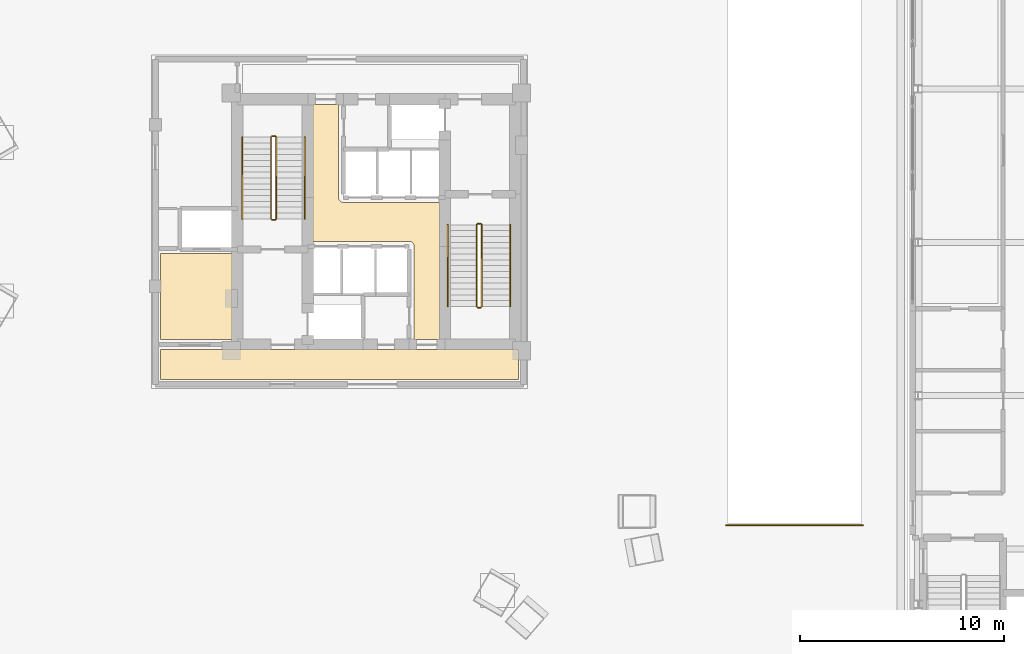
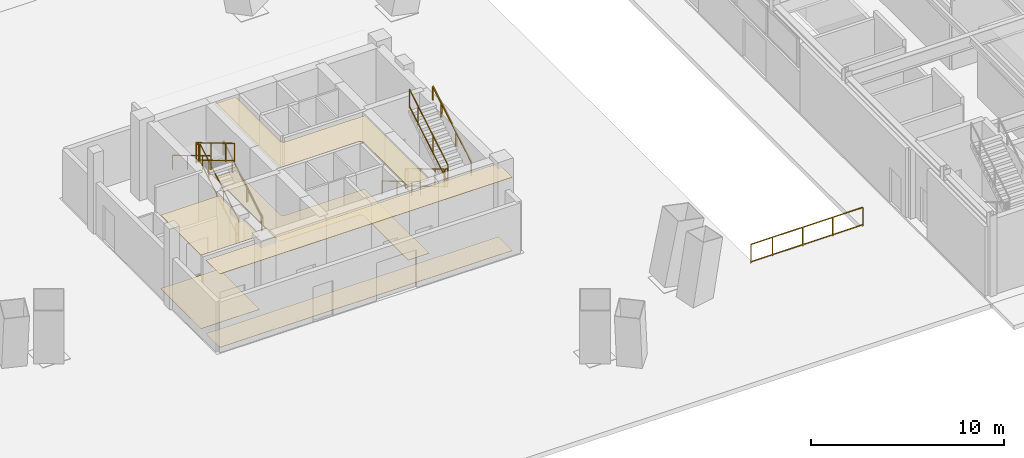
# One storey, part 18 of 21: 13 railings, 6 coverings.
"""IFC4 building model written with IfcOpenShell, lengths in metres."""

from ifc_helpers import new_model, si_unit, direction, frame, origin, origin_2d, place, context, subcontext, project, spatial, polyline, rectangle, outline, extrude, material, layer, layer_set, type_object, element, save


model = new_model("IFC4")

# Units and contexts
model_context = context("Model", 3, precision=1e-05, world=origin(), true_north=direction((0.0, 1.0)))
body_context = subcontext(model_context, "Body", "Model", "MODEL_VIEW")
ifc_project = project(units=[si_unit("LENGTHUNIT", "METRE"), si_unit("AREAUNIT", "SQUARE_METRE"), si_unit("VOLUMEUNIT", "CUBIC_METRE"), si_unit("PLANEANGLEUNIT", "RADIAN"), si_unit("MASSUNIT", "GRAM", prefix="KILO")], contexts=[model_context])

# Site, building, storey
site_placement = place(None, origin())
site = spatial("IfcSite", under=ifc_project, at=site_placement, CompositionType="ELEMENT")
building_placement = place(site_placement, origin())
building = spatial("IfcBuilding", under=site, at=building_placement, Name="Mersakhor Tower and Convention Hall", CompositionType="ELEMENT")
storey_placement = place(building_placement, origin())
storey = spatial("IfcBuildingStorey", under=building, at=storey_placement, Name="L00", CompositionType="ELEMENT", Elevation=0.0)

# Coverings
ifc_material_1 = material(Name="Acoustic mineral-fibre suspended ceiling", Category="other")
ifc_layer_1 = layer(ifc_material_1, 0.02490234375)
ifc_layer_set_1 = layer_set([ifc_layer_1], Name="Acoustic mineral-fibre suspended ceiling")
covering_type_1 = type_object("IfcCoveringType", Name="COV-CLG-25", PredefinedType="CEILING", material=ifc_layer_set_1)
covering_1_placement = place(storey_placement, frame((0.0, 0.0, 4.639892578125)))
element("IfcCovering", 1, at=covering_1_placement, inside=storey, type_object=covering_type_1, Name="L00 Central Passenger Lift Lobby Acoustic Suspended Ceiling", PredefinedType="CEILING", context=body_context, shape_type="SweptSolid", body=[
    extrude(outline(polyline([(30.85009765625, 21.0), (30.85009765625, 25.550048828125), (30.848876953125, 25.574462890625), (30.84521484375, 25.598876953125), (30.839111328125, 25.62255859375), (30.8310546875, 25.645751953125), (30.820556640625, 25.667724609375), (30.807861328125, 25.68896484375), (30.793212890625, 25.70849609375), (30.77685546875, 25.726806640625), (30.758544921875, 25.743408203125), (30.739013671875, 25.7578125), (30.7177734375, 25.7705078125), (30.69580078125, 25.781005859375), (30.672607421875, 25.789306640625), (30.648681640625, 25.795166015625), (30.62451171875, 25.798828125), (30.60009765625, 25.800048828125), (25.89990234375, 25.800048828125), (25.89990234375, 32.5), (27.14990234375, 32.5), (27.14990234375, 27.949951171875), (27.151123046875, 27.925537109375), (27.15478515625, 27.901123046875), (27.160888671875, 27.87744140625), (27.1689453125, 27.854248046875), (27.179443359375, 27.832275390625), (27.192138671875, 27.81103515625), (27.206787109375, 27.79150390625), (27.22314453125, 27.773193359375), (27.241455078125, 27.756591796875), (27.260986328125, 27.7421875), (27.2822265625, 27.7294921875), (27.30419921875, 27.718994140625), (27.327392578125, 27.710693359375), (27.351318359375, 27.704833984375), (27.37548828125, 27.701171875), (27.39990234375, 27.699951171875), (32.10009765625, 27.699951171875), (32.10009765625, 21.0), (30.85009765625, 21.0)])), origin(), (0.0, 0.0, 1.0), 0.025146484375),
])
covering_2_placement = place(storey_placement, frame((0.0, 0.0, 4.639892578125)))
element("IfcCovering", 2, at=covering_2_placement, inside=storey, type_object=covering_type_1, Name="L00 Clinic Lift Lobby and Resident Concierge Acoustic Suspended Ceiling", PredefinedType="CEILING", context=body_context, shape_type="SweptSolid", body=[
    extrude(outline(polyline([(18.449951171875, 25.199951171875), (21.949951171875, 25.199951171875), (21.949951171875, 21.0), (18.449951171875, 21.0), (18.449951171875, 25.199951171875)])), origin(), (0.0, 0.0, 1.0), 0.025146484375),
])
covering_3_placement = place(storey_placement, frame((0.0, 0.0, 4.639892578125)))
element("IfcCovering", 3, at=covering_3_placement, inside=storey, type_object=covering_type_1, Name="L00 Tower Ground Entrance Lobby Acoustic Suspended Ceiling", PredefinedType="CEILING", context=body_context, shape_type="SweptSolid", body=[
    extrude(outline(polyline([(18.449951171875, 20.5), (35.949951171875, 20.5), (35.949951171875, 19.050048828125), (18.449951171875, 19.050048828125), (18.449951171875, 20.5)])), origin(), (0.0, 0.0, 1.0), 0.025146484375),
])
ifc_material_2 = material(Name="Polished porcelain tile flooring", Category="other")
ifc_layer_2 = layer(ifc_material_2, 0.02001953125)
ifc_layer_set_2 = layer_set([ifc_layer_2], Name="Polished porcelain tile flooring")
covering_type_2 = type_object("IfcCoveringType", Name="COV-FLR-20", PredefinedType="FLOORING", material=ifc_layer_set_2)
covering_4_placement = place(storey_placement, origin())
element("IfcCovering", 4, at=covering_4_placement, inside=storey, type_object=covering_type_2, Name="L00 Central Passenger Lift Lobby Porcelain Floor Finish", PredefinedType="FLOORING", context=body_context, shape_type="SweptSolid", body=[
    extrude(outline(polyline([(30.85009765625, 21.0), (30.85009765625, 25.550048828125), (30.848876953125, 25.574462890625), (30.84521484375, 25.598876953125), (30.839111328125, 25.62255859375), (30.8310546875, 25.645751953125), (30.820556640625, 25.667724609375), (30.807861328125, 25.68896484375), (30.793212890625, 25.70849609375), (30.77685546875, 25.726806640625), (30.758544921875, 25.743408203125), (30.739013671875, 25.7578125), (30.7177734375, 25.7705078125), (30.69580078125, 25.781005859375), (30.672607421875, 25.789306640625), (30.648681640625, 25.795166015625), (30.62451171875, 25.798828125), (30.60009765625, 25.800048828125), (25.89990234375, 25.800048828125), (25.89990234375, 32.5), (27.14990234375, 32.5), (27.14990234375, 27.949951171875), (27.151123046875, 27.925537109375), (27.15478515625, 27.901123046875), (27.160888671875, 27.87744140625), (27.1689453125, 27.854248046875), (27.179443359375, 27.832275390625), (27.192138671875, 27.81103515625), (27.206787109375, 27.79150390625), (27.22314453125, 27.773193359375), (27.241455078125, 27.756591796875), (27.260986328125, 27.7421875), (27.2822265625, 27.7294921875), (27.30419921875, 27.718994140625), (27.327392578125, 27.710693359375), (27.351318359375, 27.704833984375), (27.37548828125, 27.701171875), (27.39990234375, 27.699951171875), (32.10009765625, 27.699951171875), (32.10009765625, 21.0), (30.85009765625, 21.0)])), origin(), (0.0, 0.0, 1.0), 0.02001953125),
])
covering_5_placement = place(storey_placement, origin())
element("IfcCovering", 5, at=covering_5_placement, inside=storey, type_object=covering_type_2, Name="L00 Clinic Lift Lobby and Resident Concierge Porcelain Floor Finish", PredefinedType="FLOORING", context=body_context, shape_type="SweptSolid", body=[
    extrude(outline(polyline([(18.449951171875, 25.199951171875), (21.949951171875, 25.199951171875), (21.949951171875, 21.0), (18.449951171875, 21.0), (18.449951171875, 25.199951171875)])), origin(), (0.0, 0.0, 1.0), 0.02001953125),
])
covering_6_placement = place(storey_placement, origin())
element("IfcCovering", 6, at=covering_6_placement, inside=storey, type_object=covering_type_2, Name="L00 Tower Ground Entrance Lobby Porcelain Floor Finish", PredefinedType="FLOORING", context=body_context, shape_type="SweptSolid", body=[
    extrude(outline(polyline([(18.449951171875, 20.5), (35.949951171875, 20.5), (35.949951171875, 19.050048828125), (18.449951171875, 19.050048828125), (18.449951171875, 20.5)])), origin(), (0.0, 0.0, 1.0), 0.02001953125),
])

# Railings
ifc_material_3 = material(Name="Powder-coated galvanised steel and laminated glass balustrade", Category="steel")
railing_type_1 = type_object("IfcRailingType", Name="RL-BAL-1200", PredefinedType="BALUSTRADE", material=ifc_material_3)
railing_1_placement = place(storey_placement, frame((52.800048828125, 11.919921875, 0.0)))
element("IfcRailing", 7, at=railing_1_placement, inside=storey, type_object=railing_type_1, Name="Car Park Ramp Grade South Guard Balustrade", PredefinedType="BALUSTRADE", context=body_context, shape_type="SweptSolid", body=[
    extrude(rectangle(XDim=0.048095703125, YDim=0.048095703125, at=origin_2d()), frame((0.0, 0.0, 1.17578125), z_axis=(-1.0, 0.0, 0.0), x_axis=(0.0, -1.0, 0.0)), (0.0, 0.0, 1.0), 6.699951171875),
    extrude(rectangle(XDim=0.048095703125, YDim=0.048095703125, at=origin_2d()), frame((0.0, 0.0, 0.080078125), z_axis=(-1.0, 0.0, 0.0), x_axis=(0.0, -1.0, 0.0)), (0.0, 0.0, 1.0), 6.699951171875),
    extrude(rectangle(XDim=0.0419921875, YDim=0.0419921875, at=origin_2d()), origin(), (0.0, 0.0, 1.0), 1.15185546875),
    extrude(rectangle(XDim=0.0419921875, YDim=0.0419921875, at=origin_2d()), frame((-1.800048828125, 0.0, 0.0)), (0.0, 0.0, 1.0), 1.15185546875),
    extrude(rectangle(XDim=0.0419921875, YDim=0.0419921875, at=origin_2d()), frame((-3.60009765625, 0.0, 0.0)), (0.0, 0.0, 1.0), 1.15185546875),
    extrude(rectangle(XDim=0.0419921875, YDim=0.0419921875, at=origin_2d()), frame((-5.39990234375, 0.0, 0.0)), (0.0, 0.0, 1.0), 1.15185546875),
    extrude(rectangle(XDim=0.0419921875, YDim=0.0419921875, at=origin_2d()), frame((-6.699951171875, 0.0, 0.0)), (0.0, 0.0, 1.0), 1.15185546875),
])
ifc_material_4 = material(Name="Brushed stainless steel handrail", Category="steel")
railing_type_2 = type_object("IfcRailingType", Name="RL-HR-900", PredefinedType="HANDRAIL", material=ifc_material_4)
railing_2_placement = place(storey_placement, frame((25.5, 26.89990234375, 0.169921875)))
element("IfcRailing", 8, at=railing_2_placement, inside=storey, type_object=railing_type_2, Name="L00 ST-1 stair handrail 1", PredefinedType="HANDRAIL", context=body_context, shape_type="SweptSolid", body=[
    extrude(rectangle(XDim=0.048095703125, YDim=0.048095703125, at=origin_2d()), frame((0.0, 0.0, 0.8759765625), z_axis=(0.0, 0.858806931142, 0.512299380267), x_axis=(-1.0, 0.0, 0.0)), (0.0, 0.0, 1.0), 4.64599609375),
    extrude(rectangle(XDim=0.0419921875, YDim=0.0419921875, at=origin_2d()), origin(), (0.0, 0.0, 1.0), 0.851806640625),
    extrude(rectangle(XDim=0.0419921875, YDim=0.0419921875, at=origin_2d()), frame((0.0, 1.5458984375, 0.922119140625)), (0.0, 0.0, 1.0), 0.851806640625),
    extrude(rectangle(XDim=0.0419921875, YDim=0.0419921875, at=origin_2d()), frame((0.0, 3.091796875, 1.84423828125)), (0.0, 0.0, 1.0), 0.851806640625),
    extrude(rectangle(XDim=0.0419921875, YDim=0.0419921875, at=origin_2d()), frame((0.0, 3.989990234375, 2.380126953125)), (0.0, 0.0, 1.0), 0.851806640625),
])
for number, where, name in (
    (9, (22.449951171875, 30.889892578125, 2.719970703125), "L00 ST-1 stair handrail 2"),
    (10, (32.5, 26.60009765625, 0.169921875), "L00 ST-2 stair handrail 1"),
):
    element("IfcRailing", number, at=place(storey_placement, frame(where)), inside=storey, type_object=railing_type_2, Name=name, PredefinedType="HANDRAIL", context=body_context, shape_type="SweptSolid", body=[
        extrude(rectangle(XDim=0.048095703125, YDim=0.048095703125, at=origin_2d()), frame((0.0, 0.0, 0.8759765625), z_axis=(0.0, -0.858806931142, 0.512299380267), x_axis=(1.0, 0.0, 0.0)), (0.0, 0.0, 1.0), 4.64599609375),
        extrude(rectangle(XDim=0.0419921875, YDim=0.0419921875, at=origin_2d()), origin(), (0.0, 0.0, 1.0), 0.851806640625),
        extrude(rectangle(XDim=0.0419921875, YDim=0.0419921875, at=origin_2d()), frame((0.0, -1.5458984375, 0.922119140625)), (0.0, 0.0, 1.0), 0.851806640625),
        extrude(rectangle(XDim=0.0419921875, YDim=0.0419921875, at=origin_2d()), frame((0.0, -3.091796875, 1.84423828125)), (0.0, 0.0, 1.0), 0.851806640625),
        extrude(rectangle(XDim=0.0419921875, YDim=0.0419921875, at=origin_2d()), frame((0.0, -3.989990234375, 2.380126953125)), (0.0, 0.0, 1.0), 0.851806640625),
    ])
railing_3_placement = place(storey_placement, frame((35.550048828125, 22.610107421875, 2.719970703125)))
element("IfcRailing", 11, at=railing_3_placement, inside=storey, type_object=railing_type_2, Name="L00 ST-2 stair handrail 2", PredefinedType="HANDRAIL", context=body_context, shape_type="SweptSolid", body=[
    extrude(rectangle(XDim=0.048095703125, YDim=0.048095703125, at=origin_2d()), frame((0.0, 0.0, 0.8759765625), z_axis=(0.0, 0.858806931142, 0.512299380267), x_axis=(-1.0, 0.0, 0.0)), (0.0, 0.0, 1.0), 4.64599609375),
    extrude(rectangle(XDim=0.0419921875, YDim=0.0419921875, at=origin_2d()), origin(), (0.0, 0.0, 1.0), 0.851806640625),
    extrude(rectangle(XDim=0.0419921875, YDim=0.0419921875, at=origin_2d()), frame((0.0, 1.5458984375, 0.922119140625)), (0.0, 0.0, 1.0), 0.851806640625),
    extrude(rectangle(XDim=0.0419921875, YDim=0.0419921875, at=origin_2d()), frame((0.0, 3.091796875, 1.84423828125)), (0.0, 0.0, 1.0), 0.851806640625),
    extrude(rectangle(XDim=0.0419921875, YDim=0.0419921875, at=origin_2d()), frame((0.0, 3.989990234375, 2.380126953125)), (0.0, 0.0, 1.0), 0.851806640625),
])
ifc_material_5 = material(Name="Painted steel stair balustrade S355", Category="steel")
railing_type_3 = type_object("IfcRailingType", Name="RL-STG-1200", PredefinedType="BALUSTRADE", material=ifc_material_5)
railing_4_placement = place(storey_placement, frame((24.10009765625, 26.89990234375, 0.169921875)))
element("IfcRailing", 12, at=railing_4_placement, inside=storey, type_object=railing_type_3, Name="L00 ST-1 stair guard 1", PredefinedType="BALUSTRADE", context=body_context, shape_type="SweptSolid", body=[
    extrude(rectangle(XDim=0.048095703125, YDim=0.048095703125, at=origin_2d()), frame((0.0, 0.0, 1.17578125), z_axis=(0.0, 0.858806931142, 0.512299380267), x_axis=(-1.0, 0.0, 0.0)), (0.0, 0.0, 1.0), 4.64599609375),
    extrude(rectangle(XDim=0.048095703125, YDim=0.048095703125, at=origin_2d()), frame((0.0, 0.0, 0.080078125), z_axis=(0.0, 0.858806931142, 0.512299380267), x_axis=(-1.0, 0.0, 0.0)), (0.0, 0.0, 1.0), 4.64599609375),
    extrude(rectangle(XDim=0.0419921875, YDim=0.0419921875, at=origin_2d()), origin(), (0.0, 0.0, 1.0), 1.15185546875),
    extrude(rectangle(XDim=0.0419921875, YDim=0.0419921875, at=origin_2d()), frame((0.0, 1.5458984375, 0.922119140625)), (0.0, 0.0, 1.0), 1.15185546875),
    extrude(rectangle(XDim=0.0419921875, YDim=0.0419921875, at=origin_2d()), frame((0.0, 3.091796875, 1.84423828125)), (0.0, 0.0, 1.0), 1.15185546875),
    extrude(rectangle(XDim=0.0419921875, YDim=0.0419921875, at=origin_2d()), frame((0.0, 3.989990234375, 2.380126953125)), (0.0, 0.0, 1.0), 1.15185546875),
])
railing_5_placement = place(storey_placement, frame((24.050048828125, 30.93994140625, 2.550048828125)))
element("IfcRailing", 13, at=railing_5_placement, inside=storey, type_object=railing_type_3, Name="L00 ST-1 stair guard 2", PredefinedType="BALUSTRADE", context=body_context, shape_type="SweptSolid", body=[
    extrude(rectangle(XDim=0.048095703125, YDim=0.048095703125, at=origin_2d()), frame((0.0, 0.0, 1.17578125), z_axis=(-1.0, 0.0, 0.0), x_axis=(0.0, -1.0, 0.0)), (0.0, 0.0, 1.0), 0.150146484375),
    extrude(rectangle(XDim=0.048095703125, YDim=0.048095703125, at=origin_2d()), frame((0.0, 0.0, 0.080078125), z_axis=(-1.0, 0.0, 0.0), x_axis=(0.0, -1.0, 0.0)), (0.0, 0.0, 1.0), 0.150146484375),
    extrude(rectangle(XDim=0.0419921875, YDim=0.0419921875, at=origin_2d()), origin(), (0.0, 0.0, 1.0), 1.15185546875),
    extrude(rectangle(XDim=0.0419921875, YDim=0.0419921875, at=origin_2d()), frame((-0.150146484375, 0.0, 0.0)), (0.0, 0.0, 1.0), 1.15185546875),
])
railing_6_placement = place(storey_placement, frame((23.85009765625, 30.889892578125, 2.719970703125)))
element("IfcRailing", 14, at=railing_6_placement, inside=storey, type_object=railing_type_3, Name="L00 ST-1 stair guard 3", PredefinedType="BALUSTRADE", context=body_context, shape_type="SweptSolid", body=[
    extrude(rectangle(XDim=0.048095703125, YDim=0.048095703125, at=origin_2d()), frame((0.0, 0.0, 1.17578125), z_axis=(0.0, -0.858806931142, 0.512299380267), x_axis=(1.0, 0.0, 0.0)), (0.0, 0.0, 1.0), 4.64599609375),
    extrude(rectangle(XDim=0.048095703125, YDim=0.048095703125, at=origin_2d()), frame((0.0, 0.0, 0.080078125), z_axis=(0.0, -0.858806931142, 0.512299380267), x_axis=(1.0, 0.0, 0.0)), (0.0, 0.0, 1.0), 4.64599609375),
    extrude(rectangle(XDim=0.0419921875, YDim=0.0419921875, at=origin_2d()), origin(), (0.0, 0.0, 1.0), 1.15185546875),
    extrude(rectangle(XDim=0.0419921875, YDim=0.0419921875, at=origin_2d()), frame((0.0, -1.5458984375, 0.922119140625)), (0.0, 0.0, 1.0), 1.15185546875),
    extrude(rectangle(XDim=0.0419921875, YDim=0.0419921875, at=origin_2d()), frame((0.0, -3.091796875, 1.84423828125)), (0.0, 0.0, 1.0), 1.15185546875),
    extrude(rectangle(XDim=0.0419921875, YDim=0.0419921875, at=origin_2d()), frame((0.0, -3.989990234375, 2.380126953125)), (0.0, 0.0, 1.0), 1.15185546875),
])
railing_7_placement = place(storey_placement, frame((24.050048828125, 26.85009765625, 0.0)))
element("IfcRailing", 15, at=railing_7_placement, inside=storey, type_object=railing_type_3, Name="L00 ST-1 stair guard 4", PredefinedType="BALUSTRADE", context=body_context, shape_type="SweptSolid", body=[
    extrude(rectangle(XDim=0.048095703125, YDim=0.048095703125, at=origin_2d()), frame((0.0, 0.0, 1.17578125), z_axis=(-1.0, 0.0, 0.0), x_axis=(0.0, -1.0, 0.0)), (0.0, 0.0, 1.0), 0.150146484375),
    extrude(rectangle(XDim=0.048095703125, YDim=0.048095703125, at=origin_2d()), frame((0.0, 0.0, 0.080078125), z_axis=(-1.0, 0.0, 0.0), x_axis=(0.0, -1.0, 0.0)), (0.0, 0.0, 1.0), 0.150146484375),
    extrude(rectangle(XDim=0.0419921875, YDim=0.0419921875, at=origin_2d()), origin(), (0.0, 0.0, 1.0), 1.15185546875),
    extrude(rectangle(XDim=0.0419921875, YDim=0.0419921875, at=origin_2d()), frame((-0.150146484375, 0.0, 0.0)), (0.0, 0.0, 1.0), 1.15185546875),
])
railing_8_placement = place(storey_placement, frame((33.89990234375, 26.60009765625, 0.169921875)))
element("IfcRailing", 16, at=railing_8_placement, inside=storey, type_object=railing_type_3, Name="L00 ST-2 stair guard 1", PredefinedType="BALUSTRADE", context=body_context, shape_type="SweptSolid", body=[
    extrude(rectangle(XDim=0.048095703125, YDim=0.048095703125, at=origin_2d()), frame((0.0, 0.0, 1.17578125), z_axis=(0.0, -0.858806931142, 0.512299380267), x_axis=(1.0, 0.0, 0.0)), (0.0, 0.0, 1.0), 4.64599609375),
    extrude(rectangle(XDim=0.048095703125, YDim=0.048095703125, at=origin_2d()), frame((0.0, 0.0, 0.080078125), z_axis=(0.0, -0.858806931142, 0.512299380267), x_axis=(1.0, 0.0, 0.0)), (0.0, 0.0, 1.0), 4.64599609375),
    extrude(rectangle(XDim=0.0419921875, YDim=0.0419921875, at=origin_2d()), origin(), (0.0, 0.0, 1.0), 1.15185546875),
    extrude(rectangle(XDim=0.0419921875, YDim=0.0419921875, at=origin_2d()), frame((0.0, -1.5458984375, 0.922119140625)), (0.0, 0.0, 1.0), 1.15185546875),
    extrude(rectangle(XDim=0.0419921875, YDim=0.0419921875, at=origin_2d()), frame((0.0, -3.091796875, 1.84423828125)), (0.0, 0.0, 1.0), 1.15185546875),
    extrude(rectangle(XDim=0.0419921875, YDim=0.0419921875, at=origin_2d()), frame((0.0, -3.989990234375, 2.380126953125)), (0.0, 0.0, 1.0), 1.15185546875),
])
railing_9_placement = place(storey_placement, frame((33.949951171875, 22.56005859375, 2.550048828125)))
element("IfcRailing", 17, at=railing_9_placement, inside=storey, type_object=railing_type_3, Name="L00 ST-2 stair guard 2", PredefinedType="BALUSTRADE", context=body_context, shape_type="SweptSolid", body=[
    extrude(rectangle(XDim=0.048095703125, YDim=0.048095703125, at=origin_2d()), frame((0.0, 0.0, 1.17578125), z_axis=(1.0, 0.0, 0.0), x_axis=(0.0, 1.0, 0.0)), (0.0, 0.0, 1.0), 0.150146484375),
    extrude(rectangle(XDim=0.048095703125, YDim=0.048095703125, at=origin_2d()), frame((0.0, 0.0, 0.080078125), z_axis=(1.0, 0.0, 0.0), x_axis=(0.0, 1.0, 0.0)), (0.0, 0.0, 1.0), 0.150146484375),
    extrude(rectangle(XDim=0.0419921875, YDim=0.0419921875, at=origin_2d()), origin(), (0.0, 0.0, 1.0), 1.15185546875),
    extrude(rectangle(XDim=0.0419921875, YDim=0.0419921875, at=origin_2d()), frame((0.150146484375, 0.0, 0.0)), (0.0, 0.0, 1.0), 1.15185546875),
])
railing_10_placement = place(storey_placement, frame((34.14990234375, 22.610107421875, 2.719970703125)))
element("IfcRailing", 18, at=railing_10_placement, inside=storey, type_object=railing_type_3, Name="L00 ST-2 stair guard 3", PredefinedType="BALUSTRADE", context=body_context, shape_type="SweptSolid", body=[
    extrude(rectangle(XDim=0.048095703125, YDim=0.048095703125, at=origin_2d()), frame((0.0, 0.0, 1.17578125), z_axis=(0.0, 0.858806931142, 0.512299380267), x_axis=(-1.0, 0.0, 0.0)), (0.0, 0.0, 1.0), 4.64599609375),
    extrude(rectangle(XDim=0.048095703125, YDim=0.048095703125, at=origin_2d()), frame((0.0, 0.0, 0.080078125), z_axis=(0.0, 0.858806931142, 0.512299380267), x_axis=(-1.0, 0.0, 0.0)), (0.0, 0.0, 1.0), 4.64599609375),
    extrude(rectangle(XDim=0.0419921875, YDim=0.0419921875, at=origin_2d()), origin(), (0.0, 0.0, 1.0), 1.15185546875),
    extrude(rectangle(XDim=0.0419921875, YDim=0.0419921875, at=origin_2d()), frame((0.0, 1.5458984375, 0.922119140625)), (0.0, 0.0, 1.0), 1.15185546875),
    extrude(rectangle(XDim=0.0419921875, YDim=0.0419921875, at=origin_2d()), frame((0.0, 3.091796875, 1.84423828125)), (0.0, 0.0, 1.0), 1.15185546875),
    extrude(rectangle(XDim=0.0419921875, YDim=0.0419921875, at=origin_2d()), frame((0.0, 3.989990234375, 2.380126953125)), (0.0, 0.0, 1.0), 1.15185546875),
])
railing_11_placement = place(storey_placement, frame((33.949951171875, 26.64990234375, 0.0)))
element("IfcRailing", 19, at=railing_11_placement, inside=storey, type_object=railing_type_3, Name="L00 ST-2 stair guard 4", PredefinedType="BALUSTRADE", context=body_context, shape_type="SweptSolid", body=[
    extrude(rectangle(XDim=0.048095703125, YDim=0.048095703125, at=origin_2d()), frame((0.0, 0.0, 1.17578125), z_axis=(1.0, 0.0, 0.0), x_axis=(0.0, 1.0, 0.0)), (0.0, 0.0, 1.0), 0.150146484375),
    extrude(rectangle(XDim=0.048095703125, YDim=0.048095703125, at=origin_2d()), frame((0.0, 0.0, 0.080078125), z_axis=(1.0, 0.0, 0.0), x_axis=(0.0, 1.0, 0.0)), (0.0, 0.0, 1.0), 0.150146484375),
    extrude(rectangle(XDim=0.0419921875, YDim=0.0419921875, at=origin_2d()), origin(), (0.0, 0.0, 1.0), 1.15185546875),
    extrude(rectangle(XDim=0.0419921875, YDim=0.0419921875, at=origin_2d()), frame((0.150146484375, 0.0, 0.0)), (0.0, 0.0, 1.0), 1.15185546875),
])

save(model, "model.ifc")
